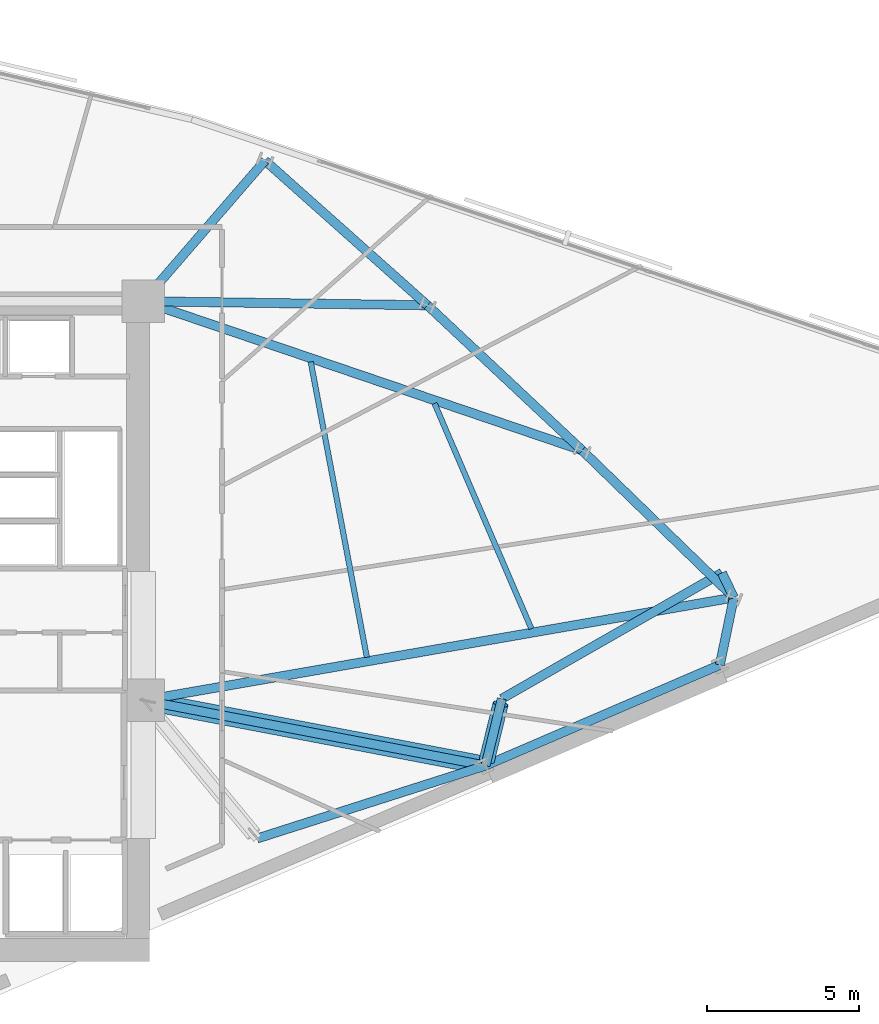
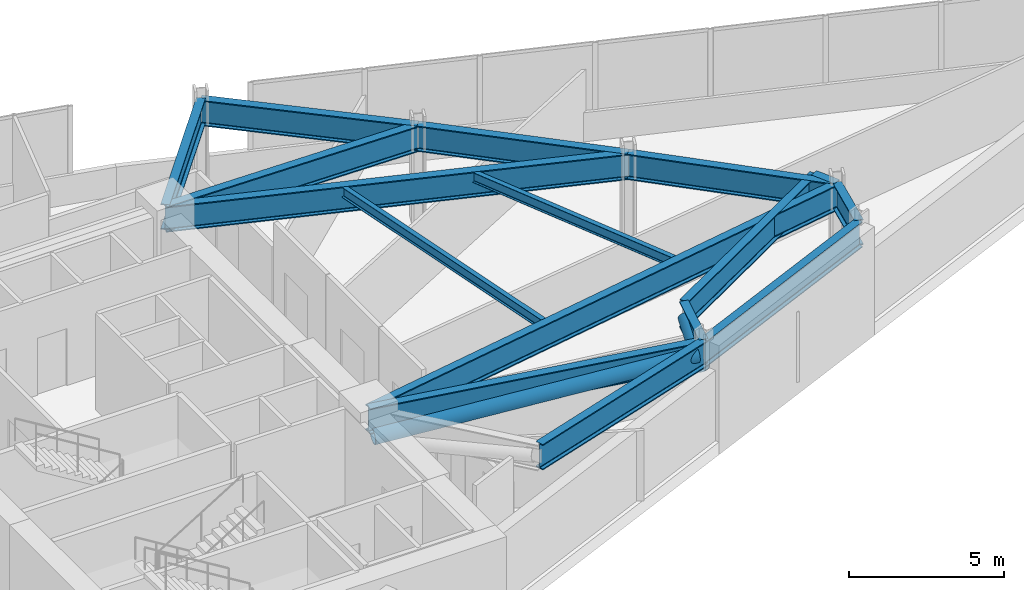
# One storey, part 3 of 14: 16 beams, 2 members.
"""IFC4 building model written with IfcOpenShell, lengths in metres."""

from ifc_helpers import new_model, si_unit, direction, frame, origin, origin_2d, place, context, subcontext, project, spatial, hollow_circle, i_section, extrude, material, material_profile, profile_set, type_object, element, save


model = new_model("IFC4")

# Units and contexts
model_context = context("Model", 3, precision=1e-05, world=origin(), true_north=direction((0.0, 1.0)))
body_context = subcontext(model_context, "Body", "Model", "MODEL_VIEW")
ifc_project = project(units=[si_unit("LENGTHUNIT", "METRE"), si_unit("AREAUNIT", "SQUARE_METRE"), si_unit("VOLUMEUNIT", "CUBIC_METRE"), si_unit("PLANEANGLEUNIT", "RADIAN"), si_unit("MASSUNIT", "GRAM", prefix="KILO")], contexts=[model_context])

# Site, building, storey
site_placement = place(None, origin())
site = spatial("IfcSite", under=ifc_project, at=site_placement, CompositionType="ELEMENT")
building_placement = place(site_placement, origin())
building = spatial("IfcBuilding", under=site, at=building_placement, Name="Narakoshi Arena Tower", CompositionType="ELEMENT")
storey_placement = place(building_placement, frame((0.0, 0.0, 196.699951171875)))
storey = spatial("IfcBuildingStorey", under=building, at=storey_placement, Name="L53", CompositionType="ELEMENT", Elevation=196.699951171875)

# Beams
ifc_material_1 = material(Name="Structural steel S355J2", Category="steel")
ifc_material_profile_1 = material_profile(ifc_material_1, i_section(OverallWidth=0.179931640625, OverallDepth=0.39990234375, WebThickness=0.008544921875, FlangeThickness=0.013427734375, FilletRadius=0.02099609375, at=origin_2d()), Name="IPE400")
ifc_profile_set_1 = profile_set([ifc_material_profile_1], Name="Structural steel S355J2")
beam_type_1 = type_object("IfcBeamType", Name="BM-SEC-400", PredefinedType="JOIST", material=ifc_profile_set_1)
beam_1_placement = place(storey_placement, frame((92.919677734375, 44.7705078125, 3.60009765625), z_axis=(-0.186663500969, 0.982423909219, 0.0), x_axis=(-0.982423909219, -0.186663500969, 0.0)))
element("IfcBeam", 1, at=beam_1_placement, inside=storey, type_object=beam_type_1, Name="L53 Composite Secondary Floor Joist 01", PredefinedType="JOIST", context=body_context, shape_type="SweptSolid", body=[
    extrude(i_section(OverallWidth=0.179931640625, OverallDepth=0.39990234375, WebThickness=0.008544921875, FlangeThickness=0.013427734375, FilletRadius=0.02099609375, at=origin_2d()), origin(), (0.0, 0.0, 1.0), 9.903564453125),
])
beam_2_placement = place(storey_placement, frame((98.340087890625, 45.710693359375, 3.60009765625), z_axis=(-0.395038717544, 0.918664471742, 0.0), x_axis=(-0.918664471742, -0.395038717544, 0.0)))
element("IfcBeam", 2, at=beam_2_placement, inside=storey, type_object=beam_type_1, Name="L53 Composite Secondary Floor Joist 02", PredefinedType="JOIST", context=body_context, shape_type="SweptSolid", body=[
    extrude(i_section(OverallWidth=0.179931640625, OverallDepth=0.39990234375, WebThickness=0.008544921875, FlangeThickness=0.013427734375, FilletRadius=0.02099609375, at=origin_2d()), origin(), (0.0, 0.0, 1.0), 8.07861328125),
])
ifc_material_2 = material(Name="Structural steel S460ML", Category="steel")
ifc_material_profile_2 = material_profile(ifc_material_2, i_section(OverallWidth=0.302001953125, OverallDepth=1.008056640625, WebThickness=0.02099609375, FlangeThickness=0.0400390625, FilletRadius=0.030029296875, at=origin_2d()), Name="HE1000M")
ifc_profile_set_2 = profile_set([ifc_material_profile_2], Name="Structural steel S460ML")
beam_type_2 = type_object("IfcBeamType", Name="BM-XFER-1000", PredefinedType="BEAM", material=ifc_profile_set_2)
beam_3_placement = place(storey_placement, frame((96.830078125, 41.2001953125, 3.296142578125), z_axis=(0.918792947441, 0.394739812703, 0.0), x_axis=(-0.394739812703, 0.918792947441, 0.0)))
element("IfcBeam", 3, at=beam_3_placement, inside=storey, type_object=beam_type_2, Name="L53 Perimeter Transfer Ring Girder 01", PredefinedType="BEAM", context=body_context, shape_type="SweptSolid", body=[
    extrude(i_section(OverallWidth=0.302001953125, OverallDepth=1.008056640625, WebThickness=0.02099609375, FlangeThickness=0.0400390625, FilletRadius=0.030029296875, at=origin_2d()), origin(), (0.0, 0.0, 1.0), 8.401611328125),
])
beam_4_placement = place(storey_placement, frame((104.54931640625, 44.5166015625, 3.296142578125), z_axis=(0.203000450605, 0.979178644096, 0.0), x_axis=(-0.979178644096, 0.203000450605, 0.0)))
element("IfcBeam", 4, at=beam_4_placement, inside=storey, type_object=beam_type_2, Name="L53 Perimeter Transfer Ring Girder 02", PredefinedType="BEAM", context=body_context, shape_type="SweptSolid", body=[
    extrude(i_section(OverallWidth=0.302001953125, OverallDepth=1.008056640625, WebThickness=0.02099609375, FlangeThickness=0.0400390625, FilletRadius=0.030029296875, at=origin_2d()), origin(), (0.0, 0.0, 1.0), 2.26953125),
])
beam_5_placement = place(storey_placement, frame((105.010009765625, 46.73876953125, 3.296142578125), z_axis=(-0.717826032278, 0.696222512839, 0.0), x_axis=(-0.696222512839, -0.717826032278, 0.0)))
element("IfcBeam", 5, at=beam_5_placement, inside=storey, type_object=beam_type_2, Name="L53 Perimeter Transfer Ring Girder 03", PredefinedType="BEAM", context=body_context, shape_type="SweptSolid", body=[
    extrude(i_section(OverallWidth=0.302001953125, OverallDepth=1.008056640625, WebThickness=0.02099609375, FlangeThickness=0.0400390625, FilletRadius=0.030029296875, at=origin_2d()), origin(), (0.0, 0.0, 1.0), 6.96142578125),
])
beam_6_placement = place(storey_placement, frame((100.012939453125, 51.58544921875, 3.296142578125), z_axis=(-0.729413011888, 0.684073576517, 0.0), x_axis=(-0.684073576517, -0.729413011888, 0.0)))
element("IfcBeam", 6, at=beam_6_placement, inside=storey, type_object=beam_type_2, Name="L53 Perimeter Transfer Ring Girder 04", PredefinedType="BEAM", context=body_context, shape_type="SweptSolid", body=[
    extrude(i_section(OverallWidth=0.302001953125, OverallDepth=1.008056640625, WebThickness=0.02099609375, FlangeThickness=0.0400390625, FilletRadius=0.030029296875, at=origin_2d()), origin(), (0.0, 0.0, 1.0), 6.9892578125),
])
beam_7_placement = place(storey_placement, frame((94.914794921875, 56.36669921875, 3.296142578125), z_axis=(-0.746743797071, 0.665111796269, 0.0), x_axis=(-0.665111796269, -0.746743797071, 0.0)))
element("IfcBeam", 7, at=beam_7_placement, inside=storey, type_object=beam_type_2, Name="L53 Perimeter Transfer Ring Girder 05", PredefinedType="BEAM", context=body_context, shape_type="SweptSolid", body=[
    extrude(i_section(OverallWidth=0.302001953125, OverallDepth=1.008056640625, WebThickness=0.02099609375, FlangeThickness=0.0400390625, FilletRadius=0.030029296875, at=origin_2d()), origin(), (0.0, 0.0, 1.0), 7.168701171875),
])
beam_8_placement = place(storey_placement, frame((85.550048828125, 43.35009765625, 3.296142578125), z_axis=(0.982317345732, -0.187223482166, 0.0), x_axis=(0.187223482166, 0.982317345732, 0.0)))
element("IfcBeam", 8, at=beam_8_placement, inside=storey, type_object=beam_type_2, Name="L53 Lower Transfer Radial Girder 01", PredefinedType="BEAM", context=body_context, shape_type="SweptSolid", body=[
    extrude(i_section(OverallWidth=0.302001953125, OverallDepth=1.008056640625, WebThickness=0.02099609375, FlangeThickness=0.0400390625, FilletRadius=0.030029296875, at=origin_2d()), origin(), (0.0, 0.0, 1.0), 11.483154296875),
])
beam_9_placement = place(storey_placement, frame((85.550048828125, 56.5, 3.296142578125), z_axis=(0.999898707477, -0.014232876956, 0.0), x_axis=(0.014232876956, 0.999898707477, 0.0)))
element("IfcBeam", 9, at=beam_9_placement, inside=storey, type_object=beam_type_2, Name="L53 Lower Transfer Radial Girder 05", PredefinedType="BEAM", context=body_context, shape_type="SweptSolid", body=[
    extrude(i_section(OverallWidth=0.302001953125, OverallDepth=1.008056640625, WebThickness=0.02099609375, FlangeThickness=0.0400390625, FilletRadius=0.030029296875, at=origin_2d()), origin(), (0.0, 0.0, 1.0), 9.36572265625),
])
beam_10_placement = place(storey_placement, frame((85.550048828125, 56.5, 3.296142578125), z_axis=(0.654434553487, 0.756118651537, 0.0), x_axis=(-0.756118651537, 0.654434553487, 0.0)))
element("IfcBeam", 10, at=beam_10_placement, inside=storey, type_object=beam_type_2, Name="L53 Lower Transfer Radial Girder 06", PredefinedType="BEAM", context=body_context, shape_type="SweptSolid", body=[
    extrude(i_section(OverallWidth=0.302001953125, OverallDepth=1.008056640625, WebThickness=0.02099609375, FlangeThickness=0.0400390625, FilletRadius=0.030029296875, at=origin_2d()), origin(), (0.0, 0.0, 1.0), 6.129638671875),
])
beam_11_placement = place(storey_placement, frame((96.830078125, 41.2001953125, 3.296142578125), z_axis=(-0.952623191317, -0.30415301308, 0.0), x_axis=(0.30415301308, -0.952623191317, 0.0)))
element("IfcBeam", 11, at=beam_11_placement, inside=storey, type_object=beam_type_2, Name="L53 Block-Turn Transfer Node Girder 01-2", PredefinedType="BEAM", context=body_context, shape_type="SweptSolid", body=[
    extrude(i_section(OverallWidth=0.302001953125, OverallDepth=1.008056640625, WebThickness=0.02099609375, FlangeThickness=0.0400390625, FilletRadius=0.030029296875, at=origin_2d()), origin(), (0.0, 0.0, 1.0), 7.89599609375),
])
beam_12_placement = place(storey_placement, frame((96.830078125, 41.2001953125, 3.296142578125), z_axis=(0.23663164894, 0.971599435323, 0.0), x_axis=(-0.971599435323, 0.23663164894, 0.0)))
element("IfcBeam", 12, at=beam_12_placement, inside=storey, type_object=beam_type_2, Name="L53 Block-Turn Transfer Node Girder 02-1", PredefinedType="BEAM", context=body_context, shape_type="SweptSolid", body=[
    extrude(i_section(OverallWidth=0.302001953125, OverallDepth=1.008056640625, WebThickness=0.02099609375, FlangeThickness=0.0400390625, FilletRadius=0.030029296875, at=origin_2d()), origin(), (0.0, 0.0, 1.0), 2.268798828125),
])
beam_13_placement = place(storey_placement, frame((105.010009765625, 46.73876953125, 3.296142578125), z_axis=(-0.433383394715, 0.901209649962, 0.0), x_axis=(-0.901209649962, -0.433383394715, 0.0)))
element("IfcBeam", 13, at=beam_13_placement, inside=storey, type_object=beam_type_2, Name="L53 Block-Turn Transfer Node Girder 03-1", PredefinedType="BEAM", context=body_context, shape_type="SweptSolid", body=[
    extrude(i_section(OverallWidth=0.302001953125, OverallDepth=1.008056640625, WebThickness=0.02099609375, FlangeThickness=0.0400390625, FilletRadius=0.030029296875, at=origin_2d()), origin(), (0.0, 0.0, 1.0), 0.900146484375),
])
beam_14_placement = place(storey_placement, frame((97.366943359375, 43.404541015625, 3.296142578125), z_axis=(0.868192782093, 0.49622705803, 0.0), x_axis=(-0.49622705803, 0.868192782093, 0.0)))
element("IfcBeam", 14, at=beam_14_placement, inside=storey, type_object=beam_type_2, Name="L53 Upper-Block Transfer Ring Girder 02", PredefinedType="BEAM", context=body_context, shape_type="SweptSolid", body=[
    extrude(i_section(OverallWidth=0.302001953125, OverallDepth=1.008056640625, WebThickness=0.02099609375, FlangeThickness=0.0400390625, FilletRadius=0.030029296875, at=origin_2d()), origin(), (0.0, 0.0, 1.0), 8.35400390625),
])
beam_15_placement = place(storey_placement, frame((85.550048828125, 43.35009765625, 3.296142578125), z_axis=(0.985174720478, 0.171553986052, 0.0), x_axis=(-0.171553986052, 0.985174720478, 0.0)))
element("IfcBeam", 15, at=beam_15_placement, inside=storey, type_object=beam_type_2, Name="L53 Radial Primary Floor Girder 03", PredefinedType="BEAM", context=body_context, shape_type="SweptSolid", body=[
    extrude(i_section(OverallWidth=0.302001953125, OverallDepth=1.008056640625, WebThickness=0.02099609375, FlangeThickness=0.0400390625, FilletRadius=0.030029296875, at=origin_2d()), origin(), (0.0, 0.0, 1.0), 19.752685546875),
])
beam_16_placement = place(storey_placement, frame((85.550048828125, 56.5, 3.296142578125), z_axis=(0.94682923499, -0.321736537818, 0.0), x_axis=(0.321736537818, 0.94682923499, 0.0)))
element("IfcBeam", 16, at=beam_16_placement, inside=storey, type_object=beam_type_2, Name="L53 Radial Primary Floor Girder 04", PredefinedType="BEAM", context=body_context, shape_type="SweptSolid", body=[
    extrude(i_section(OverallWidth=0.302001953125, OverallDepth=1.008056640625, WebThickness=0.02099609375, FlangeThickness=0.0400390625, FilletRadius=0.030029296875, at=origin_2d()), origin(), (0.0, 0.0, 1.0), 15.275146484375),
])

# Members
ifc_material_profile_3 = material_profile(ifc_material_2, hollow_circle(Radius=0.25390625, WallThickness=0.02001953125, at=origin_2d()), Name="CHS508x20")
ifc_profile_set_3 = profile_set([ifc_material_profile_3], Name="Structural steel S460ML")
member_type_1 = type_object("IfcMemberType", Name="MEM-BLT-508", PredefinedType="BRACE", material=ifc_profile_set_3)
member_1_placement = place(storey_placement, frame((96.872802734375, 41.375, 2.550048828125), z_axis=(0.220255897889, 0.904967039622, 0.364035707922), x_axis=(-0.971635840579, 0.236482120473, 0.0)))
element("IfcMember", 17, at=member_1_placement, inside=storey, type_object=member_type_1, Name="L53 Perimeter Belt-Truss Diagonal 02", PredefinedType="BRACE", context=body_context, shape_type="SweptSolid", body=[
    extrude(hollow_circle(Radius=0.25390625, WallThickness=0.02001953125, at=origin_2d()), origin(), (0.0, 0.0, 1.0), 2.049560546875),
])
ifc_material_profile_4 = material_profile(ifc_material_2, hollow_circle(Radius=0.304931640625, WallThickness=0.02490234375, at=origin_2d()), Name="CHS610x25")
ifc_profile_set_4 = profile_set([ifc_material_profile_4], Name="Structural steel S460ML")
member_type_2 = type_object("IfcMemberType", Name="MEM-OUT-610", PredefinedType="BRACE", material=ifc_profile_set_4)
member_2_placement = place(storey_placement, frame((85.697265625, 43.322021484375, 2.60009765625), z_axis=(0.980393875089, -0.186870110643, 0.062509290795), x_axis=(0.187236273257, 0.982314907744, 0.0)))
element("IfcMember", 18, at=member_2_placement, inside=storey, type_object=member_type_2, Name="L53 Core-to-Perimeter Outrigger Truss Diagonal 01", PredefinedType="BRACE", context=body_context, shape_type="SweptSolid", body=[
    extrude(hollow_circle(Radius=0.304931640625, WallThickness=0.02490234375, at=origin_2d()), origin(), (0.0, 0.0, 1.0), 11.135009765625),
])

save(model, "model.ifc")
